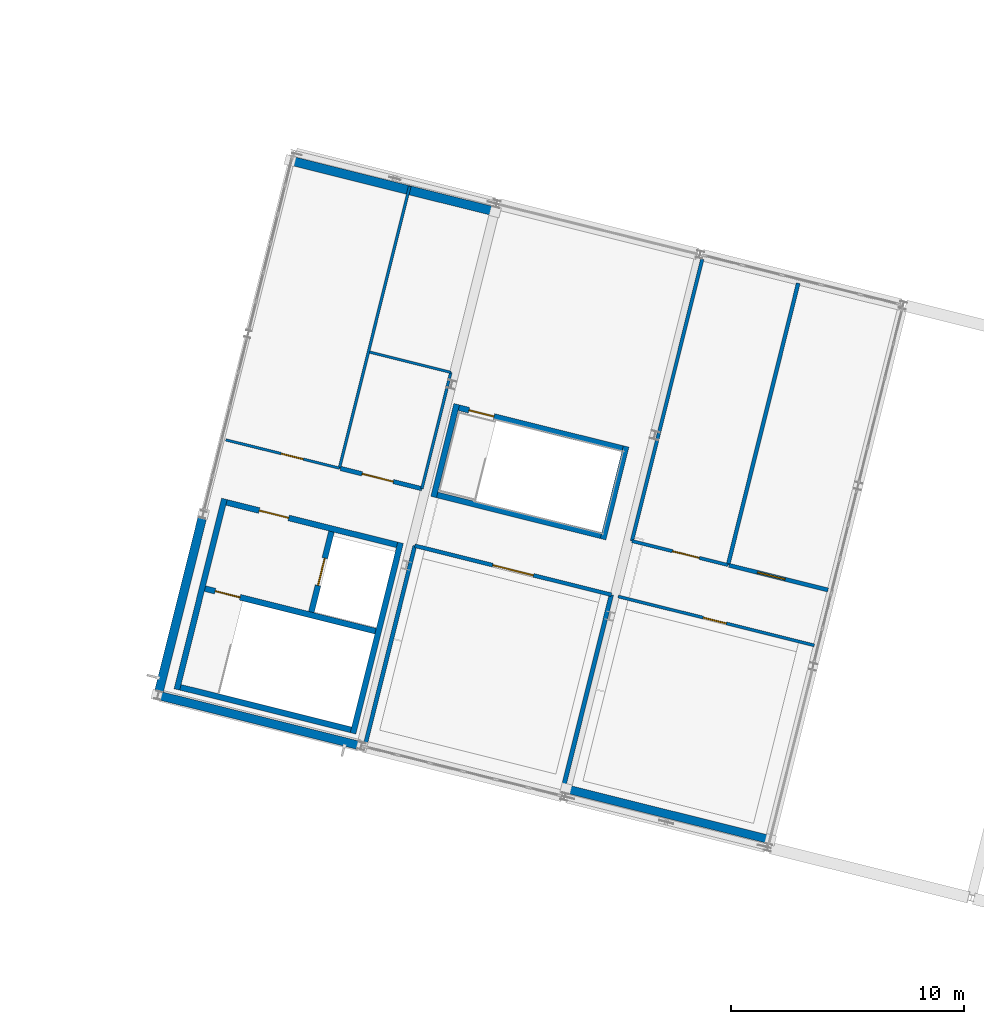
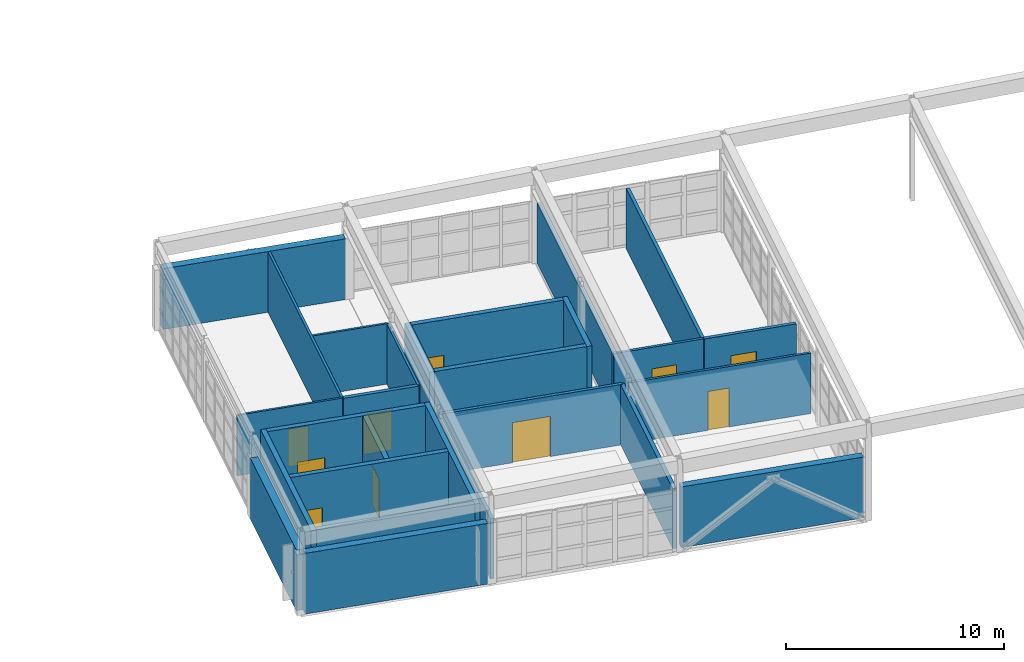
# One storey, part 24 of 27: 27 walls, 10 doors, 10 openings.
"""IFC4 building model written with IfcOpenShell, lengths in metres."""

from ifc_helpers import new_model, si_unit, direction, frame, frame_2d, origin, origin_with_axes, place, context, subcontext, project, spatial, rectangle, extrude, material, layer, layer_set, type_object, element, fill, save


model = new_model("IFC4")

# Units and contexts
model_context = context("Model", 3, precision=1e-05, world=origin(), true_north=direction((0.0, 1.0)))
body_context = subcontext(model_context, "Body", "Model", "MODEL_VIEW")
ifc_project = project(units=[si_unit("LENGTHUNIT", "METRE"), si_unit("AREAUNIT", "SQUARE_METRE"), si_unit("VOLUMEUNIT", "CUBIC_METRE"), si_unit("PLANEANGLEUNIT", "RADIAN"), si_unit("MASSUNIT", "GRAM", prefix="KILO")], contexts=[model_context])

# Site, building, storey
site_placement = place(None, origin())
site = spatial("IfcSite", under=ifc_project, at=site_placement, CompositionType="ELEMENT")
building_placement = place(site_placement, origin())
building = spatial("IfcBuilding", under=site, at=building_placement, Name="Vireo Bluff Cable Station", CompositionType="ELEMENT")
storey_placement = place(building_placement, frame((0.0, 0.0, 19.199951171875)))
storey = spatial("IfcBuildingStorey", under=building, at=storey_placement, Name="L04", CompositionType="ELEMENT", Elevation=19.199951171875)

# Walls
ifc_material_1 = material(Name="Precast concrete f'c 45 MPa", Category="concrete")
ifc_layer_1 = layer(ifc_material_1, 0.360107421875, Name="Precast concrete f'c 45 MPa")
ifc_layer_set_1 = layer_set([ifc_layer_1], Name="Precast concrete f'c 45 MPa")
wall_type_1 = type_object("IfcWallType", Name="EW-PRECAST-360", PredefinedType="SOLIDWALL", material=ifc_layer_set_1)
wall_1_placement = place(storey_placement, frame((80.13037109375, 31.83544921875, 0.0), z_axis=(0.0, 0.0, 1.0), x_axis=(-0.970295980449, 0.241920876165, 0.0)))
element("IfcWall", 1, at=wall_1_placement, inside=storey, type_object=wall_type_1, Name="V1 L04 south exterior wall 23", PredefinedType="SOLIDWALL", context=body_context, shape_type="SweptSolid", body=[
    extrude(rectangle(XDim=8.69091796875, YDim=0.360107421875, at=frame_2d((4.345458984375, 0.0))), origin(), (0.0, 0.0, 1.0), 3.400146484375),
])
ifc_layer_2 = layer(ifc_material_1, 0.3701171875, Name="Precast concrete f'c 45 MPa")
ifc_layer_set_2 = layer_set([ifc_layer_2], Name="Precast concrete f'c 45 MPa")
wall_type_2 = type_object("IfcWallType", Name="EW-PRECAST-370", PredefinedType="SOLIDWALL", material=ifc_layer_set_2)
wall_2_placement = place(storey_placement, frame((62.582763671875, 35.860107421875, 0.0), z_axis=(0.0, 0.0, 1.0), x_axis=(-0.970297177144, 0.24191607641, 0.0)))
element("IfcWall", 2, at=wall_2_placement, inside=storey, type_object=wall_type_2, Name="V1 L04 south exterior wall 24", PredefinedType="SOLIDWALL", context=body_context, shape_type="SweptSolid", body=[
    extrude(rectangle(XDim=8.71630859375, YDim=0.3701171875, at=frame_2d((4.358154296875, 0.0))), origin(), (0.0, 0.0, 1.0), 3.400146484375),
])
ifc_layer_3 = layer(ifc_material_1, 0.3798828125, Name="Precast concrete f'c 45 MPa")
ifc_layer_set_3 = layer_set([ifc_layer_3], Name="Precast concrete f'c 45 MPa")
wall_type_3 = type_object("IfcWallType", Name="EW-PRECAST-380", PredefinedType="SOLIDWALL", material=ifc_layer_set_3)
wall_3_placement = place(storey_placement, frame((54.043212890625, 38.173095703125, 0.0), z_axis=(0.0, 0.0, 1.0), x_axis=(0.241921007263, 0.970295947763, 0.0)))
element("IfcWall", 3, at=wall_3_placement, inside=storey, type_object=wall_type_3, Name="V1 L04 west exterior wall 25", PredefinedType="SOLIDWALL", context=body_context, shape_type="SweptSolid", body=[
    extrude(rectangle(XDim=7.664794921875, YDim=0.3798828125, at=frame_2d((3.83251953125, 0.0))), origin(), (0.0, 0.0, 1.0), 3.400146484375),
])
ifc_layer_4 = layer(ifc_material_1, 0.389892578125, Name="Precast concrete f'c 45 MPa")
ifc_layer_set_4 = layer_set([ifc_layer_4], Name="Precast concrete f'c 45 MPa")
wall_type_4 = type_object("IfcWallType", Name="EW-PRECAST-390", PredefinedType="SOLIDWALL", material=ifc_layer_set_4)
wall_4_placement = place(storey_placement, frame((59.8505859375, 60.925537109375, 0.0), z_axis=(0.0, 0.0, 1.0), x_axis=(0.970300491714, -0.241902781671, 0.0)))
element("IfcWall", 4, at=wall_4_placement, inside=storey, type_object=wall_type_4, Name="V1 L04 north exterior wall 26", PredefinedType="SOLIDWALL", context=body_context, shape_type="SweptSolid", body=[
    extrude(rectangle(XDim=8.71484375, YDim=0.389892578125, at=frame_2d((4.357421875, 0.0))), origin(), (0.0, 0.0, 1.0), 3.400146484375),
])

# Wall, opening, door
ifc_material_2 = material(Name="Fire-Rated Gypsum Board Partition")
ifc_layer_5 = layer(ifc_material_2, 0.110107421875, Name="Fire-Rated Gypsum Board Partition")
ifc_layer_set_5 = layer_set([ifc_layer_5], Name="Fire-Rated Gypsum Board Partition")
wall_type_5 = type_object("IfcWallType", Name="PT-1HR-110", PredefinedType="PARTITIONING", material=ifc_layer_set_5)
wall_5_placement = place(storey_placement, frame((61.791259765625, 47.7548828125, 0.0), z_axis=(0.0, 0.0, 1.0), x_axis=(-0.970299327654, 0.241907450804, 0.0)))
wall_5 = element("IfcWall", 5, at=wall_5_placement, inside=storey, type_object=wall_type_5, Name="V1 L04 Operator Briefing Room S partition", PredefinedType="PARTITIONING", context=body_context, shape_type="SweptSolid", body=[
    extrude(rectangle(XDim=5.030029296875, YDim=0.110107421875, at=frame_2d((2.51513671875, 0.0))), origin(), (0.0, 0.0, 1.0), 3.380126953125),
])
opening_1_placement = place(wall_5_placement, frame((1.59765625, 0.0, 0.0)))
opening_1 = element("IfcOpeningElement", 6, at=opening_1_placement, cuts=wall_5, Name="Opening D-0056", PredefinedType="OPENING", context=body_context, shape_type="SweptSolid", body=[
    extrude(rectangle(XDim=0.97998046875, YDim=2.1201171875, at=frame_2d((0.489990234375, 1.06005859375))), frame((0.0, 0.06494140625, 0.0), z_axis=(0.0, -1.0, 0.0), x_axis=(1.0, 0.0, 0.0)), (0.0, 0.0, 1.0), 0.130126953125),
])
ifc_material_3 = material(Name="Anodized Aluminium 6063-T6", Category="aluminium")
door_type_1 = type_object("IfcDoorType", Name="IDOOR60-980X2120", OperationType="NOTDEFINED", PredefinedType="DOOR", material=ifc_material_3)
door_1_placement = place(opening_1_placement, origin_with_axes())
door_1 = element("IfcDoor", 7, at=door_1_placement, inside=storey, type_object=door_type_1, Name="V1 L04 Operator Briefing Room door D-0056", OperationType="SINGLE_SWING_LEFT", OverallHeight=2.1201171875, OverallWidth=0.97998046875, PredefinedType="DOOR", context=body_context, shape_type="SweptSolid", body=[
    extrude(rectangle(XDim=0.97998046875, YDim=2.1201171875, at=frame_2d((0.489990234375, 1.06005859375))), frame((0.0, 0.02490234375, 0.0), z_axis=(0.0, -1.0, 0.0), x_axis=(1.0, 0.0, 0.0)), (0.0, 0.0, 1.0), 0.050048828125),
])
fill(opening_1, door_1)

# Walls
wall_6_placement = place(storey_placement, frame((63.085693359375, 52.73974609375, 0.0), z_axis=(0.0, 0.0, 1.0), x_axis=(0.970301855688, -0.241897310542, 0.0)))
element("IfcWall", 8, at=wall_6_placement, inside=storey, type_object=wall_type_5, Name="V1 L04 Accessible WC L04 N partition", PredefinedType="PARTITIONING", context=body_context, shape_type="SweptSolid", body=[
    extrude(rectangle(XDim=3.60009765625, YDim=0.110107421875, at=frame_2d((1.800048828125, 0.0))), origin(), (0.0, 0.0, 1.0), 3.380126953125),
])
ifc_layer_6 = layer(ifc_material_2, 0.1201171875, Name="Fire-Rated Gypsum Board Partition")
ifc_layer_set_6 = layer_set([ifc_layer_6], Name="Fire-Rated Gypsum Board Partition")
wall_type_6 = type_object("IfcWallType", Name="PT-1HR-120", PredefinedType="PARTITIONING", material=ifc_layer_set_6)
wall_7_placement = place(storey_placement, frame((64.810546875, 59.8642578125, 0.0), z_axis=(0.0, 0.0, 1.0), x_axis=(-0.241927992864, -0.970294206037, 0.0)))
element("IfcWall", 9, at=wall_7_placement, inside=storey, type_object=wall_type_6, Name="V1 L04 Operator Briefing Room E partition", PredefinedType="PARTITIONING", context=body_context, shape_type="SweptSolid", body=[
    extrude(rectangle(XDim=12.480224609375, YDim=0.1201171875, at=frame_2d((6.240234375, 0.0))), origin(), (0.0, 0.0, 1.0), 3.380126953125),
])
wall_8_placement = place(storey_placement, frame((66.578857421875, 51.868896484375, 0.0), z_axis=(0.0, 0.0, 1.0), x_axis=(-0.241910935859, -0.970298458781, 0.0)))
element("IfcWall", 10, at=wall_8_placement, inside=storey, type_object=wall_type_6, Name="V1 L04 Accessible WC L04 E partition", PredefinedType="PARTITIONING", context=body_context, shape_type="SweptSolid", body=[
    extrude(rectangle(XDim=5.150146484375, YDim=0.1201171875, at=frame_2d((2.5751953125, 0.0))), origin(), (0.0, 0.0, 1.0), 3.380126953125),
])

# Wall, opening, door
ifc_layer_7 = layer(ifc_material_2, 0.1298828125, Name="Fire-Rated Gypsum Board Partition")
ifc_layer_set_7 = layer_set([ifc_layer_7], Name="Fire-Rated Gypsum Board Partition")
wall_type_7 = type_object("IfcWallType", Name="PT-1HR-130", PredefinedType="PARTITIONING", material=ifc_layer_set_7)
wall_9_placement = place(storey_placement, frame((73.763916015625, 42.24462890625, 0.0), z_axis=(0.0, 0.0, 1.0), x_axis=(0.970296175991, -0.241920091883, 0.0)))
wall_9 = element("IfcWall", 11, at=wall_9_placement, inside=storey, type_object=wall_type_7, Name="V1 L04 Dispatch and Telemetry Office N partition", PredefinedType="PARTITIONING", context=body_context, shape_type="SweptSolid", body=[
    extrude(rectangle(XDim=8.679931640625, YDim=0.1298828125, at=frame_2d((4.33984375, 0.0))), origin(), (0.0, 0.0, 1.0), 3.380126953125),
])
opening_2_placement = place(wall_9_placement, frame((3.764892578125, 0.0, 0.0)))
opening_2 = element("IfcOpeningElement", 12, at=opening_2_placement, cuts=wall_9, Name="Opening D-0057", PredefinedType="OPENING", context=body_context, shape_type="SweptSolid", body=[
    extrude(rectangle(XDim=1.02001953125, YDim=2.179931640625, at=frame_2d((0.510009765625, 1.08984375))), frame((0.0, 0.074951171875, 0.0), z_axis=(0.0, -1.0, 0.0), x_axis=(1.0, 0.0, 0.0)), (0.0, 0.0, 1.0), 0.14990234375),
])
door_type_2 = type_object("IfcDoorType", Name="IDOOR60-1020X2180", OperationType="NOTDEFINED", PredefinedType="DOOR", material=ifc_material_3)
door_2_placement = place(opening_2_placement, origin_with_axes())
door_2 = element("IfcDoor", 13, at=door_2_placement, inside=storey, type_object=door_type_2, Name="V1 L04 Dispatch and Telemetry Office door D-0057", OperationType="SINGLE_SWING_RIGHT", OverallHeight=2.179931640625, OverallWidth=1.02001953125, PredefinedType="DOOR", context=body_context, shape_type="SweptSolid", body=[
    extrude(rectangle(XDim=1.02001953125, YDim=2.179931640625, at=frame_2d((0.510009765625, 1.08984375))), frame((0.0, 0.02490234375, 0.0), z_axis=(0.0, -1.0, 0.0), x_axis=(1.0, 0.0, 0.0)), (0.0, 0.0, 1.0), 0.050048828125),
])
fill(opening_2, door_2)

ifc_layer_8 = layer(ifc_material_2, 0.139892578125, Name="Fire-Rated Gypsum Board Partition")
ifc_layer_set_8 = layer_set([ifc_layer_8], Name="Fire-Rated Gypsum Board Partition")
wall_type_8 = type_object("IfcWallType", Name="PT-1HR-140", PredefinedType="PARTITIONING", material=ifc_layer_set_8)
wall_10_placement = place(storey_placement, frame((78.48046875, 43.59375, 0.0), z_axis=(0.0, 0.0, 1.0), x_axis=(-0.970287625734, 0.241954382783, 0.0)))
wall_10 = element("IfcWall", 14, at=wall_10_placement, inside=storey, type_object=wall_type_8, Name="V1 L04 Observation Lounge S partition", PredefinedType="PARTITIONING", context=body_context, shape_type="SweptSolid", body=[
    extrude(rectangle(XDim=4.25, YDim=0.139892578125, at=frame_2d((2.125, 0.0))), origin(), (0.0, 0.0, 1.0), 3.380126953125),
])
opening_3_placement = place(wall_10_placement, frame((1.274658203125, 0.0, 0.0)))
opening_3 = element("IfcOpeningElement", 15, at=opening_3_placement, cuts=wall_10, Name="Opening D-0058", PredefinedType="OPENING", context=body_context, shape_type="SweptSolid", body=[
    extrude(rectangle(XDim=1.179931640625, YDim=2.179931640625, at=frame_2d((0.58984375, 1.08984375))), frame((0.0, 0.080078125, 0.0), z_axis=(0.0, -1.0, 0.0), x_axis=(1.0, 0.0, 0.0)), (0.0, 0.0, 1.0), 0.159912109375),
])
door_type_3 = type_object("IfcDoorType", Name="IDOOR60-1180X2180", OperationType="NOTDEFINED", PredefinedType="DOOR", material=ifc_material_3)
door_3_placement = place(opening_3_placement, origin_with_axes())
door_3 = element("IfcDoor", 16, at=door_3_placement, inside=storey, type_object=door_type_3, Name="V1 L04 Observation Lounge door D-0058", OperationType="SINGLE_SWING_LEFT", OverallHeight=2.179931640625, OverallWidth=1.179931640625, PredefinedType="DOOR", context=body_context, shape_type="SweptSolid", body=[
    extrude(rectangle(XDim=1.179931640625, YDim=2.179931640625, at=frame_2d((0.58984375, 1.08984375))), frame((0.0, 0.02490234375, 0.0), z_axis=(0.0, -1.0, 0.0), x_axis=(1.0, 0.0, 0.0)), (0.0, 0.0, 1.0), 0.050048828125),
])
fill(opening_3, door_3)

# Wall
ifc_layer_9 = layer(ifc_material_2, 0.14990234375, Name="Fire-Rated Gypsum Board Partition")
ifc_layer_set_9 = layer_set([ifc_layer_9], Name="Fire-Rated Gypsum Board Partition")
wall_type_9 = type_object("IfcWallType", Name="PT-1HR-150", PredefinedType="PARTITIONING", material=ifc_layer_set_9)
wall_11_placement = place(storey_placement, frame((74.356689453125, 44.6220703125, 0.0), z_axis=(0.0, 0.0, 1.0), x_axis=(0.241932585048, 0.970293061035, 0.0)))
element("IfcWall", 17, at=wall_11_placement, inside=storey, type_object=wall_type_9, Name="V1 L04 Observation Lounge W partition", PredefinedType="PARTITIONING", context=body_context, shape_type="SweptSolid", body=[
    extrude(rectangle(XDim=12.47998046875, YDim=0.14990234375, at=frame_2d((6.239990234375, 0.0))), origin(), (0.0, 0.0, 1.0), 3.380126953125),
])

# Wall, opening, door
ifc_layer_10 = layer(ifc_material_2, 0.1650390625, Name="Fire-Rated Gypsum Board Partition")
ifc_layer_set_10 = layer_set([ifc_layer_10], Name="Fire-Rated Gypsum Board Partition")
wall_type_10 = type_object("IfcWallType", Name="PT-1HR-165", PredefinedType="PARTITIONING", material=ifc_layer_set_10)
wall_12_placement = place(storey_placement, frame((65.03125, 44.422119140625, 0.0), z_axis=(0.0, 0.0, 1.0), x_axis=(0.97029582083, -0.241921516366, 0.0)))
wall_12 = element("IfcWall", 18, at=wall_12_placement, inside=storey, type_object=wall_type_10, Name="V1 L04 Ropeway Line Control Room N partition", PredefinedType="PARTITIONING", context=body_context, shape_type="SweptSolid", body=[
    extrude(rectangle(XDim=8.7001953125, YDim=0.1650390625, at=frame_2d((4.35009765625, 0.0))), origin(), (0.0, 0.0, 1.0), 3.380126953125),
])
opening_4_placement = place(wall_12_placement, frame((3.449951171875, 0.0, 0.0)))
opening_4 = element("IfcOpeningElement", 19, at=opening_4_placement, cuts=wall_12, Name="Opening D-0055", PredefinedType="OPENING", context=body_context, shape_type="SweptSolid", body=[
    extrude(rectangle(XDim=1.800048828125, YDim=2.25, at=frame_2d((0.89990234375, 1.125))), frame((0.0, 0.092529296875, 0.0), z_axis=(0.0, -1.0, 0.0), x_axis=(1.0, 0.0, 0.0)), (0.0, 0.0, 1.0), 0.18505859375),
])
door_type_4 = type_object("IfcDoorType", Name="IDOOR60-1800X2250", OperationType="NOTDEFINED", PredefinedType="DOOR", material=ifc_material_3)
door_4_placement = place(opening_4_placement, origin_with_axes())
door_4 = element("IfcDoor", 20, at=door_4_placement, inside=storey, type_object=door_type_4, Name="V1 L04 Ropeway Line Control Room door D-0055", OperationType="DOUBLE_DOOR_SINGLE_SWING", OverallHeight=2.25, OverallWidth=1.800048828125, PredefinedType="DOOR", context=body_context, shape_type="SweptSolid", body=[
    extrude(rectangle(XDim=1.800048828125, YDim=2.25, at=frame_2d((0.89990234375, 1.125))), frame((0.0, 0.02490234375, 0.0), z_axis=(0.0, -1.0, 0.0), x_axis=(1.0, 0.0, 0.0)), (0.0, 0.0, 1.0), 0.050048828125),
])
fill(opening_4, door_4)

# Walls
wall_13_placement = place(storey_placement, frame((81.49951171875, 55.703125, 0.0), z_axis=(0.0, 0.0, 1.0), x_axis=(-0.24190957532, -0.970298797984, 0.0)))
element("IfcWall", 21, at=wall_13_placement, inside=storey, type_object=wall_type_10, Name="V1 L04 Observation Lounge E partition", PredefinedType="PARTITIONING", context=body_context, shape_type="SweptSolid", body=[
    extrude(rectangle(XDim=12.47998046875, YDim=0.1650390625, at=frame_2d((6.239990234375, 0.0))), origin(), (0.0, 0.0, 1.0), 3.380126953125),
])
ifc_layer_11 = layer(ifc_material_2, 0.175048828125, Name="Fire-Rated Gypsum Board Partition")
ifc_layer_set_11 = layer_set([ifc_layer_11], Name="Fire-Rated Gypsum Board Partition")
wall_type_11 = type_object("IfcWallType", Name="PT-1HR-175", PredefinedType="PARTITIONING", material=ifc_layer_set_11)
wall_14_placement = place(storey_placement, frame((62.91943359375, 35.951416015625, 0.0), z_axis=(0.0, 0.0, 1.0), x_axis=(0.241903876317, 0.97030021881, 0.0)))
element("IfcWall", 22, at=wall_14_placement, inside=storey, type_object=wall_type_11, Name="V1 L04 Ropeway Line Control Room W partition", PredefinedType="PARTITIONING", context=body_context, shape_type="SweptSolid", body=[
    extrude(rectangle(XDim=8.72998046875, YDim=0.175048828125, at=frame_2d((4.364990234375, 0.0))), origin(), (0.0, 0.0, 1.0), 3.380126953125),
])

# Wall, opening, door
wall_15_placement = place(storey_placement, frame((82.77880859375, 42.52197265625, 0.0), z_axis=(0.0, 0.0, 1.0), x_axis=(-0.970283328125, 0.241971616441, 0.0)))
wall_15 = element("IfcWall", 23, at=wall_15_placement, inside=storey, type_object=wall_type_11, Name="V1 L04 Weather and Wind Monitoring Lab S partition", PredefinedType="PARTITIONING", context=body_context, shape_type="SweptSolid", body=[
    extrude(rectangle(XDim=4.3798828125, YDim=0.175048828125, at=frame_2d((2.18994140625, 0.0))), origin(), (0.0, 0.0, 1.0), 3.380126953125),
])
opening_5_placement = place(wall_15_placement, frame((1.900634765625, 0.0, 0.0)))
opening_5 = element("IfcOpeningElement", 24, at=opening_5_placement, cuts=wall_15, Name="Opening D-0059", PredefinedType="OPENING", context=body_context, shape_type="SweptSolid", body=[
    extrude(rectangle(XDim=1.219970703125, YDim=2.199951171875, at=frame_2d((0.60986328125, 1.10009765625))), frame((0.0, 0.09765625, 0.0), z_axis=(0.0, -1.0, 0.0), x_axis=(1.0, 0.0, 0.0)), (0.0, 0.0, 1.0), 0.195068359375),
])
door_type_5 = type_object("IfcDoorType", Name="IDOOR60-1220X2200", OperationType="NOTDEFINED", PredefinedType="DOOR", material=ifc_material_3)
door_5_placement = place(opening_5_placement, origin_with_axes())
door_5 = element("IfcDoor", 25, at=door_5_placement, inside=storey, type_object=door_type_5, Name="V1 L04 Weather and Wind Monitoring Lab door D-0059", OperationType="SINGLE_SWING_RIGHT", OverallHeight=2.199951171875, OverallWidth=1.219970703125, PredefinedType="DOOR", context=body_context, shape_type="SweptSolid", body=[
    extrude(rectangle(XDim=1.219970703125, YDim=2.199951171875, at=frame_2d((0.60986328125, 1.10009765625))), frame((0.0, 0.02490234375, 0.0), z_axis=(0.0, -1.0, 0.0), x_axis=(1.0, 0.0, 0.0)), (0.0, 0.0, 1.0), 0.050048828125),
])
fill(opening_5, door_5)

# Wall
ifc_layer_12 = layer(ifc_material_2, 0.18994140625, Name="Fire-Rated Gypsum Board Partition")
ifc_layer_set_12 = layer_set([ifc_layer_12], Name="Fire-Rated Gypsum Board Partition")
wall_type_12 = type_object("IfcWallType", Name="PT-1HR-190", PredefinedType="PARTITIONING", material=ifc_layer_set_12)
wall_16_placement = place(storey_placement, frame((73.472900390625, 42.3173828125, 0.0), z_axis=(0.0, 0.0, 1.0), x_axis=(-0.24193020533, -0.97029365439, 0.0)))
element("IfcWall", 26, at=wall_16_placement, inside=storey, type_object=wall_type_12, Name="V1 L04 Ropeway Line Control Room E partition", PredefinedType="PARTITIONING", context=body_context, shape_type="SweptSolid", body=[
    extrude(rectangle(XDim=8.72998046875, YDim=0.18994140625, at=frame_2d((4.364990234375, 0.0))), origin(), (0.0, 0.0, 1.0), 3.380126953125),
])

# Wall, opening, door
wall_17_placement = place(storey_placement, frame((65.3330078125, 46.871826171875, 0.0), z_axis=(0.0, 0.0, 1.0), x_axis=(-0.970301855688, 0.241897310542, 0.0)))
wall_17 = element("IfcWall", 27, at=wall_17_placement, inside=storey, type_object=wall_type_12, Name="V1 L04 Accessible WC L04 S partition", PredefinedType="PARTITIONING", context=body_context, shape_type="SweptSolid", body=[
    extrude(rectangle(XDim=3.60009765625, YDim=0.18994140625, at=frame_2d((1.800048828125, 0.0))), origin(), (0.0, 0.0, 1.0), 3.380126953125),
])
opening_6_placement = place(wall_17_placement, frame((1.268310546875, 0.0, 0.0)))
opening_6 = element("IfcOpeningElement", 28, at=opening_6_placement, cuts=wall_17, Name="Opening D-0060", PredefinedType="OPENING", context=body_context, shape_type="SweptSolid", body=[
    extrude(rectangle(XDim=1.3798828125, YDim=2.219970703125, at=frame_2d((0.68994140625, 1.10986328125))), frame((0.0, 0.10498046875, 0.0), z_axis=(0.0, -1.0, 0.0), x_axis=(1.0, 0.0, 0.0)), (0.0, 0.0, 1.0), 0.2099609375),
])
door_type_6 = type_object("IfcDoorType", Name="IDOOR60-1380X2220", OperationType="NOTDEFINED", PredefinedType="DOOR", material=ifc_material_3)
door_6_placement = place(opening_6_placement, origin_with_axes())
door_6 = element("IfcDoor", 29, at=door_6_placement, inside=storey, type_object=door_type_6, Name="V1 L04 Accessible WC L04 door D-0060", OperationType="SINGLE_SWING_LEFT", OverallHeight=2.219970703125, OverallWidth=1.3798828125, PredefinedType="DOOR", context=body_context, shape_type="SweptSolid", body=[
    extrude(rectangle(XDim=1.3798828125, YDim=2.219970703125, at=frame_2d((0.68994140625, 1.10986328125))), frame((0.0, 0.02490234375, 0.0), z_axis=(0.0, -1.0, 0.0), x_axis=(1.0, 0.0, 0.0)), (0.0, 0.0, 1.0), 0.050048828125),
])
fill(opening_6, door_6)

# Walls
ifc_material_4 = material(Name="Concrete f'c 40 MPa", Category="concrete")
ifc_layer_13 = layer(ifc_material_4, 0.25, Name="Concrete f'c 40 MPa")
ifc_layer_set_13 = layer_set([ifc_layer_13], Name="Concrete f'c 40 MPa")
wall_type_13 = type_object("IfcWallType", Name="SW-CORE-250", PredefinedType="SHEAR", material=ifc_layer_set_13)
for number, where, z_axis, x_axis, name in (
    (30, (54.809814453125, 38.25146484375, 0.0), (0.0, 0.0, 1.0), (0.24193628408, 0.970292138712, 0.0), "CORE-2 L04 core W shear wall"),
    (31, (62.378173828125, 36.364501953125, 0.0), (0.0, 0.0, 1.0), (0.24193628408, 0.970292138712, 0.0), "CORE-2 L04 core E shear wall"),
):
    element("IfcWall", number, at=place(storey_placement, frame(where, z_axis=z_axis, x_axis=x_axis)), inside=storey, type_object=wall_type_13, Name=name, PredefinedType="SHEAR", context=body_context, shape_type="SweptSolid", body=[
        extrude(rectangle(XDim=8.43505859375, YDim=0.25, at=frame_2d((4.217529296875, 0.0))), origin(), (0.0, 0.0, 1.0), 4.14013671875),
    ])
wall_18_placement = place(storey_placement, frame((54.96142578125, 38.342529296875, 0.0), z_axis=(0.0, 0.0, 1.0), x_axis=(0.97029827707, -0.241911664693, 0.0)))
element("IfcWall", 32, at=wall_18_placement, inside=storey, type_object=wall_type_13, Name="CORE-2 L04 stair shaft south shear wall", PredefinedType="SHEAR", context=body_context, shape_type="SweptSolid", body=[
    extrude(rectangle(XDim=7.550048828125, YDim=0.25, at=frame_2d((3.77490234375, 0.0))), origin(), (0.0, 0.0, 1.0), 4.14013671875),
])

# Wall, opening, door
wall_19_placement = place(storey_placement, frame((63.344482421875, 40.75634765625, 0.0), z_axis=(0.0, 0.0, 1.0), x_axis=(-0.970300169372, 0.241904074618, 0.0)))
wall_19 = element("IfcWall", 33, at=wall_19_placement, inside=storey, type_object=wall_type_13, Name="CORE-2 L04 stair shaft north shear wall", PredefinedType="SHEAR", context=body_context, shape_type="SweptSolid", body=[
    extrude(rectangle(XDim=7.550048828125, YDim=0.25, at=frame_2d((3.77490234375, 0.0))), origin(), (0.0, 0.0, 1.0), 4.14013671875),
])
opening_7_placement = place(wall_19_placement, frame((6.0, 0.0, 0.0)))
opening_7 = element("IfcOpeningElement", 34, at=opening_7_placement, cuts=wall_19, Name="Opening SD-015", PredefinedType="OPENING", context=body_context, shape_type="SweptSolid", body=[
    extrude(rectangle(XDim=1.10009765625, YDim=2.14990234375, at=frame_2d((0.550048828125, 1.074951171875))), frame((0.0, 0.135009765625, 0.0), z_axis=(0.0, -1.0, 0.0), x_axis=(1.0, 0.0, 0.0)), (0.0, 0.0, 1.0), 0.27001953125),
])
ifc_material_5 = material(Name="Stainless Steel 316", Category="steel")
door_type_7 = type_object("IfcDoorType", Name="IDOOR90-1100X2150", OperationType="NOTDEFINED", PredefinedType="DOOR", material=ifc_material_5)
door_7_placement = place(opening_7_placement, origin_with_axes())
door_7 = element("IfcDoor", 35, at=door_7_placement, inside=storey, type_object=door_type_7, Name="CORE-2 L04 stair fire door SD-015", OperationType="SINGLE_SWING_RIGHT", OverallHeight=2.14990234375, OverallWidth=1.10009765625, PredefinedType="DOOR", context=body_context, shape_type="SweptSolid", body=[
    extrude(rectangle(XDim=1.10009765625, YDim=2.14990234375, at=frame_2d((0.550048828125, 1.074951171875))), frame((0.0, 0.02490234375, 0.0), z_axis=(0.0, -1.0, 0.0), x_axis=(1.0, 0.0, 0.0)), (0.0, 0.0, 1.0), 0.050048828125),
])
fill(opening_7, door_7)

wall_20_placement = place(storey_placement, frame((64.267333984375, 44.4580078125, 0.0), z_axis=(0.0, 0.0, 1.0), x_axis=(-0.97029827707, 0.241911664693, 0.0)))
wall_20 = element("IfcWall", 36, at=wall_20_placement, inside=storey, type_object=wall_type_13, Name="CORE-2 L04 core north shear wall", PredefinedType="SHEAR", context=body_context, shape_type="SweptSolid", body=[
    extrude(rectangle(XDim=7.550048828125, YDim=0.25, at=frame_2d((3.77490234375, 0.0))), origin(), (0.0, 0.0, 1.0), 4.14013671875),
])
opening_8_placement = place(wall_20_placement, frame((4.800048828125, 0.0, 0.0)))
opening_8 = element("IfcOpeningElement", 37, at=opening_8_placement, cuts=wall_20, Name="Opening FD-016", PredefinedType="OPENING", context=body_context, shape_type="SweptSolid", body=[
    extrude(rectangle(XDim=1.300048828125, YDim=2.14990234375, at=frame_2d((0.64990234375, 1.074951171875))), frame((0.0, 0.135009765625, 0.0), z_axis=(0.0, -1.0, 0.0), x_axis=(1.0, 0.0, 0.0)), (0.0, 0.0, 1.0), 0.27001953125),
])
door_type_8 = type_object("IfcDoorType", Name="IDOOR90-1300X2150", OperationType="NOTDEFINED", PredefinedType="DOOR", material=ifc_material_5)
door_8_placement = place(opening_8_placement, origin_with_axes())
door_8 = element("IfcDoor", 38, at=door_8_placement, inside=storey, type_object=door_type_8, Name="CORE-2 L04 firefighting lobby door FD-016", OperationType="SINGLE_SWING_LEFT", OverallHeight=2.14990234375, OverallWidth=1.300048828125, PredefinedType="DOOR", context=body_context, shape_type="SweptSolid", body=[
    extrude(rectangle(XDim=1.300048828125, YDim=2.14990234375, at=frame_2d((0.64990234375, 1.074951171875))), frame((0.0, 0.02490234375, 0.0), z_axis=(0.0, -1.0, 0.0), x_axis=(1.0, 0.0, 0.0)), (0.0, 0.0, 1.0), 0.050048828125),
])
fill(opening_8, door_8)

wall_21_placement = place(storey_placement, frame((60.5849609375, 41.572998046875, 0.0), z_axis=(0.0, 0.0, 1.0), x_axis=(0.241939401498, 0.970291361398, 0.0)))
wall_21 = element("IfcWall", 39, at=wall_21_placement, inside=storey, type_object=wall_type_13, Name="CORE-2 L04 lift shaft front wall", PredefinedType="SHEAR", context=body_context, shape_type="SweptSolid", body=[
    extrude(rectangle(XDim=3.565185546875, YDim=0.25, at=frame_2d((1.78271484375, 0.0))), origin(), (0.0, 0.0, 1.0), 4.14013671875),
])
opening_9_placement = place(wall_21_placement, frame((1.1826171875, 0.0, 0.0)))
opening_9 = element("IfcOpeningElement", 40, at=opening_9_placement, cuts=wall_21, Name="Opening LD-008", PredefinedType="OPENING", context=body_context, shape_type="SweptSolid", body=[
    extrude(rectangle(XDim=1.199951171875, YDim=2.14990234375, at=frame_2d((0.60009765625, 1.074951171875))), frame((0.0, 0.135009765625, 0.0), z_axis=(0.0, -1.0, 0.0), x_axis=(1.0, 0.0, 0.0)), (0.0, 0.0, 1.0), 0.27001953125),
])
door_type_9 = type_object("IfcDoorType", Name="LIFTDOOR-1200X2150", OperationType="DOUBLE_DOOR_SLIDING", PredefinedType="DOOR", material=ifc_material_5)
door_9_placement = place(opening_9_placement, origin_with_axes())
door_9 = element("IfcDoor", 41, at=door_9_placement, inside=storey, type_object=door_type_9, Name="CORE-2 L04 lift sliding landing door LD-008", OperationType="DOUBLE_DOOR_SLIDING", OverallHeight=2.14990234375, OverallWidth=1.199951171875, PredefinedType="DOOR", context=body_context, shape_type="SweptSolid", body=[
    extrude(rectangle(XDim=1.199951171875, YDim=2.14990234375, at=frame_2d((0.60009765625, 1.074951171875))), frame((0.0, 0.02490234375, 0.0), z_axis=(0.0, -1.0, 0.0), x_axis=(1.0, 0.0, 0.0)), (0.0, 0.0, 1.0), 0.050048828125),
])
fill(opening_9, door_9)

# Walls
for number, where, z_axis, x_axis, name in (
    (42, (65.83642578125, 46.514404296875, 0.0), (0.0, 0.0, 1.0), (0.241934594253, 0.970292560058, 0.0), "ST10 L04 stair shaft W wall"),
    (43, (73.113525390625, 44.699951171875, 0.0), (0.0, 0.0, 1.0), (0.241934594253, 0.970292560058, 0.0), "ST10 L04 stair shaft E wall"),
):
    element("IfcWall", number, at=place(storey_placement, frame(where, z_axis=z_axis, x_axis=x_axis)), inside=storey, type_object=wall_type_13, Name=name, PredefinedType="SHEAR", context=body_context, shape_type="SweptSolid", body=[
        extrude(rectangle(XDim=4.110107421875, YDim=0.25, at=frame_2d((2.05517578125, 0.0))), origin(), (0.0, 0.0, 1.0), 4.14013671875),
    ])
wall_22_placement = place(storey_placement, frame((65.988037109375, 46.60546875, 0.0), z_axis=(0.0, 0.0, 1.0), x_axis=(0.970296809782, -0.241917549853, 0.0)))
element("IfcWall", 44, at=wall_22_placement, inside=storey, type_object=wall_type_13, Name="ST10 L04 stair shaft S wall", PredefinedType="SHEAR", context=body_context, shape_type="SweptSolid", body=[
    extrude(rectangle(XDim=7.25, YDim=0.25, at=frame_2d((3.625, 0.0))), origin(), (0.0, 0.0, 1.0), 4.14013671875),
])

# Wall, opening, door
wall_23_placement = place(storey_placement, frame((73.956298828125, 48.596923828125, 0.0), z_axis=(0.0, 0.0, 1.0), x_axis=(-0.970294838916, 0.241925454579, 0.0)))
wall_23 = element("IfcWall", 45, at=wall_23_placement, inside=storey, type_object=wall_type_13, Name="ST10 L04 stair shaft north wall", PredefinedType="SHEAR", context=body_context, shape_type="SweptSolid", body=[
    extrude(rectangle(XDim=7.249755859375, YDim=0.25, at=frame_2d((3.625, 0.0))), origin(), (0.0, 0.0, 1.0), 4.14013671875),
])
opening_10_placement = place(wall_23_placement, frame((5.699951171875, 0.0, 0.0)))
opening_10 = element("IfcOpeningElement", 46, at=opening_10_placement, cuts=wall_23, Name="Opening SD-040", PredefinedType="OPENING", context=body_context, shape_type="SweptSolid", body=[
    extrude(rectangle(XDim=1.10009765625, YDim=2.14990234375, at=frame_2d((0.550048828125, 1.074951171875))), frame((0.0, 0.135009765625, 0.0), z_axis=(0.0, -1.0, 0.0), x_axis=(1.0, 0.0, 0.0)), (0.0, 0.0, 1.0), 0.27001953125),
])
door_10_placement = place(opening_10_placement, origin_with_axes())
door_10 = element("IfcDoor", 47, at=door_10_placement, inside=storey, type_object=door_type_7, Name="ST10 L04 stair fire door SD-040", OperationType="SINGLE_SWING_LEFT", OverallHeight=2.14990234375, OverallWidth=1.10009765625, PredefinedType="DOOR", context=body_context, shape_type="SweptSolid", body=[
    extrude(rectangle(XDim=1.10009765625, YDim=2.14990234375, at=frame_2d((0.550048828125, 1.074951171875))), frame((0.0, 0.02490234375, 0.0), z_axis=(0.0, -1.0, 0.0), x_axis=(1.0, 0.0, 0.0)), (0.0, 0.0, 1.0), 0.050048828125),
])
fill(opening_10, door_10)

save(model, "model.ifc")
